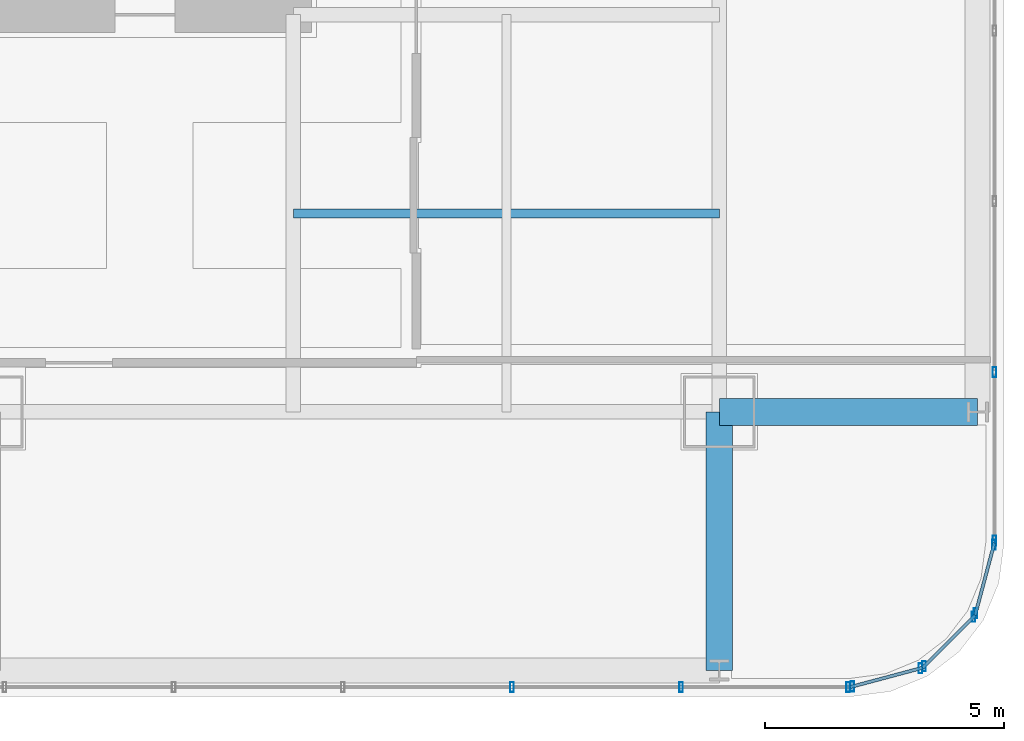
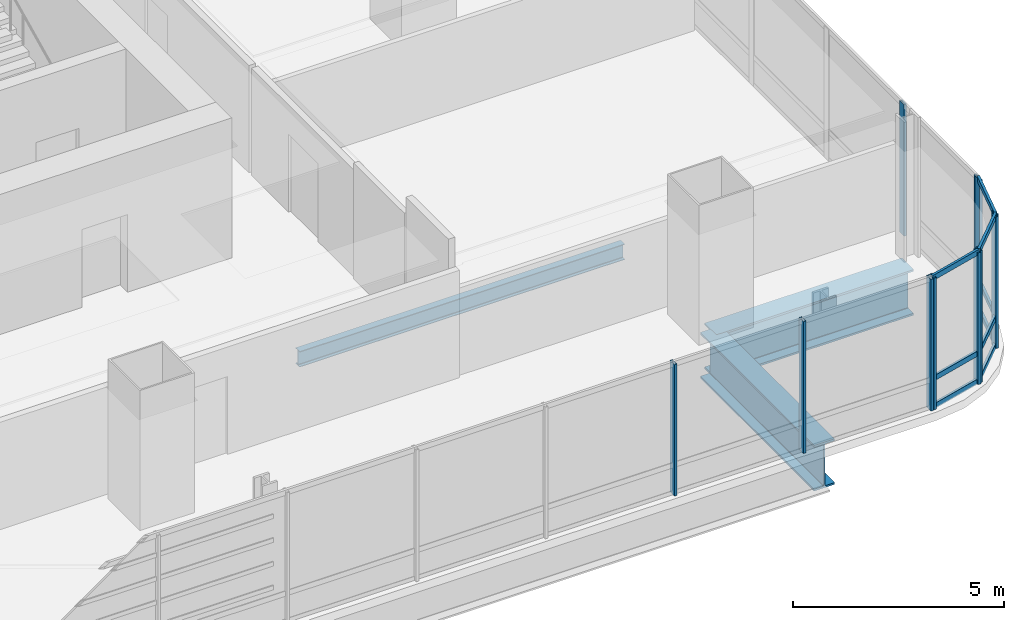
# One storey, part 12 of 35: 20 members, 3 beams, 5 elements without a shape of their own.
"""IFC4 building model written with IfcOpenShell, lengths in metres."""

import ifcopenshell
import ifcopenshell.guid

model = None  # the IFC model being written
_history = None  # IfcOwnerHistory: only IFC2X3 demands one
_inside = {}  # id of a spatial element -> (the spatial element, [elements in it])
_under = {}  # id of a project, library or spatial element -> (it, [spatial elements below it])
_declared = {}  # id of a project -> (the project, [libraries it declares])
_typed = {}  # id of a type object -> (the type object, [elements of that type])
_made_of = {}  # id of a material, layer set ... -> (it, [elements and type objects made of it])


def new_model(schema):
    """Start an empty IFC model of exactly this schema.

    Asked for "IFC4X3", IfcOpenShell would pick the latest addendum, in which some entities
    have other attributes; the version numbers below select the first issue.
    IFC2X3 requires an IfcOwnerHistory on every rooted entity: one is made here for all.
    """
    global model, _history
    if schema == "IFC4X3":
        model = ifcopenshell.file(schema_version=(4, 3, 0, 0))
    else:
        model = ifcopenshell.file(schema=schema)
    _inside.clear()
    _under.clear()
    _declared.clear()
    _typed.clear()
    _made_of.clear()
    _history = None
    if model.schema == "IFC2X3":
        org = make("IfcOrganization", Name="unknown")
        user = make(
            "IfcPersonAndOrganization",
            ThePerson=make("IfcPerson", FamilyName="unknown"),
            TheOrganization=org,
        )
        app = make(
            "IfcApplication",
            ApplicationDeveloper=org,
            Version="unknown",
            ApplicationFullName="unknown",
            ApplicationIdentifier="unknown",
        )
        _history = make(
            "IfcOwnerHistory",
            OwningUser=user,
            OwningApplication=app,
            ChangeAction="ADDED",
            CreationDate=0,
        )
    return model


def make(cls, **values):
    """One entity of the class cls with the attributes given. An attribute that is None is left unset."""
    return model.create_entity(
        cls, **{name: value for name, value in values.items() if value is not None}
    )


def rooted(cls, **values):
    """An entity with a GlobalId (a new one), such as an element, a storey or a relation."""
    return make(cls, GlobalId=ifcopenshell.guid.new(), OwnerHistory=_history, **values)


def si_unit(unit_type, name, prefix=None):
    """IfcSIUnit, for example si_unit("LENGTHUNIT", "METRE", prefix="MILLI")."""
    return make("IfcSIUnit", UnitType=unit_type, Prefix=prefix, Name=name)


def assignment(units):
    """IfcUnitAssignment: the units of a project."""
    return None if units is None else make("IfcUnitAssignment", Units=units)


def point(xyz):
    """IfcCartesianPoint."""
    return None if xyz is None else make("IfcCartesianPoint", Coordinates=xyz)


def direction(xyz):
    """IfcDirection."""
    return None if xyz is None else make("IfcDirection", DirectionRatios=xyz)


def frame(location, z_axis=None, x_axis=None):
    """IfcAxis2Placement3D, a coordinate frame: its origin and axes. An axis left out is left unset."""
    return make(
        "IfcAxis2Placement3D",
        Location=point(location),
        Axis=direction(z_axis),
        RefDirection=direction(x_axis),
    )


def frame_2d(location, x_axis=None):
    """IfcAxis2Placement2D, a coordinate frame in the plane: its origin and x axis."""
    return make(
        "IfcAxis2Placement2D", Location=point(location), RefDirection=direction(x_axis)
    )


def origin():
    """The frame at (0, 0, 0) with its axes left unset."""
    return frame((0.0, 0.0, 0.0))


def origin_2d():
    """The frame at (0, 0) in the plane with its x axis left unset."""
    return frame_2d((0.0, 0.0))


def place(relative_to, where):
    """IfcLocalPlacement: puts the frame where relative to a parent placement (None: the world)."""
    return make(
        "IfcLocalPlacement", PlacementRelTo=relative_to, RelativePlacement=where
    )


def context(
    kind, dimensions, precision=None, world=None, true_north=None, identifier=None
):
    """IfcGeometricRepresentationContext, for example the 3D "Model" context."""
    return make(
        "IfcGeometricRepresentationContext",
        ContextIdentifier=identifier,
        ContextType=kind,
        CoordinateSpaceDimension=dimensions,
        Precision=precision,
        WorldCoordinateSystem=world,
        TrueNorth=true_north,
    )


def subcontext(parent, identifier, kind, view, scale=None):
    """IfcGeometricRepresentationSubContext, for example "Body" below "Model"."""
    return make(
        "IfcGeometricRepresentationSubContext",
        ContextIdentifier=identifier,
        ContextType=kind,
        ParentContext=parent,
        TargetScale=scale,
        TargetView=view,
    )


def project(units=None, contexts=None):
    """IfcProject with its units and contexts."""
    return rooted(
        "IfcProject",
        Name="project",
        RepresentationContexts=contexts,
        UnitsInContext=assignment(units),
    )


def spatial(cls, under=None, at=None, **own):
    """A site, building, storey or space (cls), placed at a placement, below another one or the project."""
    s = rooted(cls, ObjectPlacement=at, **own)
    if under is not None:
        _under.setdefault(under.id(), (under, []))[1].append(s)
    return s


def profile(cls, at=None, kind="AREA", **sizes):
    """A parametric profile (cls). Its sizes go by their IFC names, for example OverallWidth=200.0."""
    return make(cls, ProfileType=kind, Position=at, **sizes)


def hollow_rectangle(**sizes):
    """IfcRectangleHollowProfileDef."""
    return profile("IfcRectangleHollowProfileDef", **sizes)


def i_section(**sizes):
    """IfcIShapeProfileDef."""
    return profile("IfcIShapeProfileDef", **sizes)


def extrude(swept, where, along, depth):
    """IfcExtrudedAreaSolid: the profile swept, set in the frame where, extruded along a direction by depth."""
    return make(
        "IfcExtrudedAreaSolid",
        SweptArea=swept,
        Position=where,
        ExtrudedDirection=direction(along),
        Depth=depth,
    )


def shape(context_of_items, identifier, shape_type, items):
    """IfcShapeRepresentation: the items that make up one representation, for example the "Body"."""
    return make(
        "IfcShapeRepresentation",
        ContextOfItems=context_of_items,
        RepresentationIdentifier=identifier,
        RepresentationType=shape_type,
        Items=items,
    )


def material(Name=None, Category=None):
    """IfcMaterial."""
    return make("IfcMaterial", Name=Name, Category=Category)


def material_profile(
    of_material, cross_section, Name=None, Category=None, Priority=None
):
    """IfcMaterialProfile: a cross section and its material."""
    return make(
        "IfcMaterialProfile",
        Name=Name,
        Material=of_material,
        Profile=cross_section,
        Priority=Priority,
        Category=Category,
    )


def profile_set(profiles, Name=None, composite=None):
    """IfcMaterialProfileSet."""
    return make(
        "IfcMaterialProfileSet",
        Name=Name,
        MaterialProfiles=profiles,
        CompositeProfile=composite,
    )


def made_of(thing, what):
    """Note that an element or type object is made of a material, layer set ...; save() writes the relation."""
    if what is not None:
        _made_of.setdefault(what.id(), (what, []))[1].append(thing)
    return thing


def type_object(cls, material=None, **own):
    """A type object (cls), such as IfcWallType, which elements share."""
    return made_of(rooted(cls, **own), material)


def element(
    cls,
    number,
    at=None,
    inside=None,
    cuts=None,
    type_object=None,
    material=None,
    context=None,
    identifier="Body",
    shape_type=None,
    held_by="IfcProductDefinitionShape",
    body=None,
    shapes=None,
    **own,
):
    """One element of the class cls, such as IfcWall. Its Tag is "e" and its number.

    at: its placement. inside: the storey or other place that contains it. cuts: it is an
    opening in that element (IfcRelVoidsElement). A single representation is given by context,
    identifier, shape_type and body (its items); several are given by shapes. held_by: the class
    of the entity that holds the representations. save() writes the other relations.
    """
    e = rooted(cls, Tag="e%d" % number, ObjectPlacement=at, **own)
    if body is not None:
        shapes = [shape(context, identifier, shape_type, body)]
    if shapes is not None:
        e.Representation = make(held_by, Representations=shapes)
    if inside is not None:
        _inside.setdefault(inside.id(), (inside, []))[1].append(e)
    if cuts is not None:
        rooted(
            "IfcRelVoidsElement", RelatingBuildingElement=cuts, RelatedOpeningElement=e
        )
    if type_object is not None:
        _typed.setdefault(type_object.id(), (type_object, []))[1].append(e)
    return made_of(e, material)


def aggregate(whole, parts):
    """IfcRelAggregates: a whole, such as a stair, and the parts it consists of."""
    return rooted("IfcRelAggregates", RelatingObject=whole, RelatedObjects=parts)


def save(model, path):
    """Write the relations noted so far, then the file.

    IfcRelAggregates (storeys below a building ...), IfcRelContainedInSpatialStructure (elements
    in a storey), IfcRelDefinesByType, IfcRelAssociatesMaterial and IfcRelDeclares: one each for
    every whole, place, type object, material and project.
    """
    for whole, parts in _under.values():
        aggregate(whole, parts)
    for where, things in _inside.values():
        rooted(
            "IfcRelContainedInSpatialStructure",
            RelatedElements=things,
            RelatingStructure=where,
        )
    for kind, things in _typed.values():
        rooted("IfcRelDefinesByType", RelatedObjects=things, RelatingType=kind)
    for what, things in _made_of.values():
        rooted("IfcRelAssociatesMaterial", RelatedObjects=things, RelatingMaterial=what)
    for by, libraries in _declared.values():
        rooted("IfcRelDeclares", RelatingContext=by, RelatedDefinitions=libraries)
    model.write(path)


model = new_model("IFC4")

# Units and contexts
model_context = context("Model", 3, precision=1e-05, world=origin(), true_north=direction((0.0, 1.0)))
body_context = subcontext(model_context, "Body", "Model", "MODEL_VIEW")
ifc_project = project(units=[si_unit("LENGTHUNIT", "METRE"), si_unit("AREAUNIT", "SQUARE_METRE"), si_unit("VOLUMEUNIT", "CUBIC_METRE"), si_unit("PLANEANGLEUNIT", "RADIAN"), si_unit("MASSUNIT", "GRAM", prefix="KILO")], contexts=[model_context])

# Site, building, storey
site_placement = place(None, origin())
site = spatial("IfcSite", under=ifc_project, at=site_placement, CompositionType="ELEMENT")
building_placement = place(site_placement, origin())
building = spatial("IfcBuilding", under=site, at=building_placement, Name="Punatoya Terracotta Tower", CompositionType="ELEMENT")
storey_placement = place(building_placement, frame((0.0, 0.0, 64.64990234375)))
storey = spatial("IfcBuildingStorey", under=building, at=storey_placement, Name="L14", CompositionType="ELEMENT", Elevation=64.64990234375)

# Beams
ifc_material_1 = material(Name="Steel S355", Category="steel")
ifc_material_profile_1 = material_profile(ifc_material_1, i_section(OverallWidth=0.18994140625, OverallDepth=0.449951171875, WebThickness=0.009521484375, FlangeThickness=0.0146484375, FilletRadius=0.01806640625, at=origin_2d()))
ifc_profile_set_1 = profile_set([ifc_material_profile_1], Name="Steel S355")
beam_type_1 = type_object("IfcBeamType", Name="BM-SEC-450", PredefinedType="JOIST", material=ifc_profile_set_1)
beam_placement = place(storey_placement, frame((10.199951171875, -13.35009765625, -0.46484375), z_axis=(1.0, 0.0, 0.0), x_axis=(0.0, 1.0, 0.0)))
element("IfcBeam", 1, at=beam_placement, inside=storey, type_object=beam_type_1, Name="BM-L14-SJS-2", PredefinedType="JOIST", context=body_context, shape_type="SweptSolid", body=[
    extrude(i_section(OverallWidth=0.18994140625, OverallDepth=0.449951171875, WebThickness=0.009521484375, FlangeThickness=0.0146484375, FilletRadius=0.01806640625, at=origin_2d()), origin(), (0.0, 0.0, 1.0), 8.900146484375),
])
ifc_material_2 = material(Name="Steel S460", Category="steel")
ifc_material_profile_2 = material_profile(ifc_material_2, i_section(OverallWidth=0.56005859375, OverallDepth=1.320068359375, WebThickness=0.035888671875, FlangeThickness=0.054931640625, FilletRadius=0.01806640625, at=origin_2d()))
ifc_profile_set_2 = profile_set([ifc_material_profile_2], Name="Steel S460")
beam_type_2 = type_object("IfcBeamType", Name="BM-TG-BLK", PredefinedType="BEAM", material=ifc_profile_set_2)
for number, where, z_axis, x_axis, name in (
    (2, (19.10009765625, -17.5, -0.89990234375), (1.0, 0.0, 0.0), (0.0, 1.0, 0.0), "BM-L14-CANT-E1"),
    (3, (19.10009765625, -22.89990234375, -0.89990234375), (0.0, 1.0, 0.0), (-1.0, 0.0, 0.0), "BM-L14-CANT-S4"),
):
    element("IfcBeam", number, at=place(storey_placement, frame(where, z_axis=z_axis, x_axis=x_axis)), inside=storey, type_object=beam_type_2, Name=name, PredefinedType="BEAM", context=body_context, shape_type="SweptSolid", body=[
        extrude(i_section(OverallWidth=0.56005859375, OverallDepth=1.320068359375, WebThickness=0.035888671875, FlangeThickness=0.054931640625, FilletRadius=0.01806640625, at=origin_2d()), origin(), (0.0, 0.0, 1.0), 5.39990234375),
    ])

# Curtain wall, members
ifc_material_3 = material(Name="Aluminium 6063-T6 + Double Low-E Glass", Category="aluminium")
curtain_wall_type = type_object("IfcCurtainWallType", Name="CW-M1", PredefinedType="NOTDEFINED", material=ifc_material_3)
curtain_wall_1_placement = place(storey_placement, origin())
curtain_wall_1 = element("IfcCurtainWall", 4, at=curtain_wall_1_placement, inside=storey, type_object=curtain_wall_type, Name="L14 Curtain Wall CW-L14-S01-1", PredefinedType="NOTDEFINED")
ifc_material_4 = material(Name="Aluminium 6063-T6", Category="aluminium")
ifc_material_profile_3 = material_profile(ifc_material_4, hollow_rectangle(XDim=0.074951171875, YDim=0.2099609375, WallThickness=0.00439453125, at=origin_2d()))
ifc_profile_set_3 = profile_set([ifc_material_profile_3], Name="Aluminium 6063-T6")
member_type_1 = type_object("IfcMemberType", Name="CW-MUL-M1", PredefinedType="MULLION", material=ifc_profile_set_3)
member_1_placement = place(storey_placement, frame((14.768798828125, -23.25, 0.0), z_axis=(0.0, 0.0, 1.0), x_axis=(1.0, 0.0, 0.0)))
member_1 = element("IfcMember", 5, at=member_1_placement, type_object=member_type_1, Name="CW-L14-S01-1 Mullion 09", PredefinedType="MULLION", context=body_context, shape_type="SweptSolid", body=[
    extrude(hollow_rectangle(XDim=0.074951171875, YDim=0.2099609375, WallThickness=0.00439453125, at=origin_2d()), origin(), (0.0, 0.0, 1.0), 3.81005859375),
])
member_2_placement = place(storey_placement, frame((18.302978515625, -23.25, 0.0), z_axis=(0.0, 0.0, 1.0), x_axis=(1.0, 0.0, 0.0)))
member_2 = element("IfcMember", 6, at=member_2_placement, type_object=member_type_1, Name="CW-L14-S01-1 Mullion 10", PredefinedType="MULLION", context=body_context, shape_type="SweptSolid", body=[
    extrude(hollow_rectangle(XDim=0.074951171875, YDim=0.2099609375, WallThickness=0.00439453125, at=origin_2d()), origin(), (0.0, 0.0, 1.0), 3.81005859375),
])
member_3_placement = place(storey_placement, frame((21.7919921875, -23.25, 0.0), z_axis=(0.0, 0.0, 1.0), x_axis=(1.0, 0.0, 0.0)))
member_3 = element("IfcMember", 7, at=member_3_placement, type_object=member_type_1, Name="CW-L14-S01-1 Mullion 11", PredefinedType="MULLION", context=body_context, shape_type="SweptSolid", body=[
    extrude(hollow_rectangle(XDim=0.074951171875, YDim=0.2099609375, WallThickness=0.00439453125, at=origin_2d()), origin(), (0.0, 0.0, 1.0), 3.81005859375),
])
aggregate(curtain_wall_1, [member_1, member_2, member_3])

curtain_wall_2_placement = place(storey_placement, origin())
curtain_wall_2 = element("IfcCurtainWall", 8, at=curtain_wall_2_placement, inside=storey, type_object=curtain_wall_type, Name="L14 Curtain Wall CW-L14-CRN02", PredefinedType="NOTDEFINED")
member_4_placement = place(storey_placement, frame((21.88037109375, -23.23828125, 0.0), z_axis=(0.0, 0.0, 1.0), x_axis=(1.0, 0.0, 0.0)))
member_4 = element("IfcMember", 9, at=member_4_placement, type_object=member_type_1, Name="CW-L14-CRN02 Mullion 00", PredefinedType="MULLION", context=body_context, shape_type="SweptSolid", body=[
    extrude(hollow_rectangle(XDim=0.074951171875, YDim=0.2099609375, WallThickness=0.00439453125, at=origin_2d()), origin(), (0.0, 0.0, 1.0), 3.81005859375),
])
member_5_placement = place(storey_placement, frame((23.3056640625, -22.858154296875, 0.0), z_axis=(0.0, 0.0, 1.0), x_axis=(1.0, 0.0, 0.0)))
member_5 = element("IfcMember", 10, at=member_5_placement, type_object=member_type_1, Name="CW-L14-CRN02 Mullion 01", PredefinedType="MULLION", context=body_context, shape_type="SweptSolid", body=[
    extrude(hollow_rectangle(XDim=0.074951171875, YDim=0.2099609375, WallThickness=0.00439453125, at=origin_2d()), origin(), (0.0, 0.0, 1.0), 3.81005859375),
])

curtain_wall_3_placement = place(storey_placement, origin())
curtain_wall_3 = element("IfcCurtainWall", 11, at=curtain_wall_3_placement, inside=storey, type_object=curtain_wall_type, Name="L14 Curtain Wall CW-L14-CRN03", PredefinedType="NOTDEFINED")
member_6_placement = place(storey_placement, frame((23.380859375, -22.814697265625, 0.0), z_axis=(0.0, 0.0, 1.0), x_axis=(1.0, 0.0, 0.0)))
member_6 = element("IfcMember", 12, at=member_6_placement, type_object=member_type_1, Name="CW-L14-CRN03 Mullion 00", PredefinedType="MULLION", context=body_context, shape_type="SweptSolid", body=[
    extrude(hollow_rectangle(XDim=0.074951171875, YDim=0.2099609375, WallThickness=0.00439453125, at=origin_2d()), origin(), (0.0, 0.0, 1.0), 3.81005859375),
])
member_7_placement = place(storey_placement, frame((24.414794921875, -21.781005859375, 0.0), z_axis=(0.0, 0.0, 1.0), x_axis=(1.0, 0.0, 0.0)))
member_7 = element("IfcMember", 13, at=member_7_placement, type_object=member_type_1, Name="CW-L14-CRN03 Mullion 01", PredefinedType="MULLION", context=body_context, shape_type="SweptSolid", body=[
    extrude(hollow_rectangle(XDim=0.074951171875, YDim=0.2099609375, WallThickness=0.00439453125, at=origin_2d()), origin(), (0.0, 0.0, 1.0), 3.81005859375),
])

curtain_wall_4_placement = place(storey_placement, origin())
curtain_wall_4 = element("IfcCurtainWall", 14, at=curtain_wall_4_placement, inside=storey, type_object=curtain_wall_type, Name="L14 Curtain Wall CW-L14-CRN04", PredefinedType="NOTDEFINED")
member_8_placement = place(storey_placement, frame((24.458251953125, -21.70556640625, 0.0), z_axis=(0.0, 0.0, 1.0), x_axis=(1.0, 0.0, 0.0)))
member_8 = element("IfcMember", 15, at=member_8_placement, type_object=member_type_1, Name="CW-L14-CRN04 Mullion 00", PredefinedType="MULLION", context=body_context, shape_type="SweptSolid", body=[
    extrude(hollow_rectangle(XDim=0.074951171875, YDim=0.2099609375, WallThickness=0.00439453125, at=origin_2d()), origin(), (0.0, 0.0, 1.0), 3.81005859375),
])
member_9_placement = place(storey_placement, frame((24.83837890625, -20.280517578125, 0.0), z_axis=(0.0, 0.0, 1.0), x_axis=(1.0, 0.0, 0.0)))
member_9 = element("IfcMember", 16, at=member_9_placement, type_object=member_type_1, Name="CW-L14-CRN04 Mullion 01", PredefinedType="MULLION", context=body_context, shape_type="SweptSolid", body=[
    extrude(hollow_rectangle(XDim=0.074951171875, YDim=0.2099609375, WallThickness=0.00439453125, at=origin_2d()), origin(), (0.0, 0.0, 1.0), 3.81005859375),
])

curtain_wall_5_placement = place(storey_placement, origin())
curtain_wall_5 = element("IfcCurtainWall", 17, at=curtain_wall_5_placement, inside=storey, type_object=curtain_wall_type, Name="L14 Curtain Wall CW-L14-E05-1", PredefinedType="NOTDEFINED")
member_10_placement = place(storey_placement, frame((24.85009765625, -20.19189453125, 0.0), z_axis=(0.0, 0.0, 1.0), x_axis=(1.0, 0.0, 0.0)))
member_10 = element("IfcMember", 18, at=member_10_placement, type_object=member_type_1, Name="CW-L14-E05-1 Mullion 00", PredefinedType="MULLION", context=body_context, shape_type="SweptSolid", body=[
    extrude(hollow_rectangle(XDim=0.074951171875, YDim=0.2099609375, WallThickness=0.00439453125, at=origin_2d()), origin(), (0.0, 0.0, 1.0), 3.81005859375),
])
member_11_placement = place(storey_placement, frame((24.85009765625, -16.66943359375, 0.0), z_axis=(0.0, 0.0, 1.0), x_axis=(1.0, 0.0, 0.0)))
member_11 = element("IfcMember", 19, at=member_11_placement, type_object=member_type_1, Name="CW-L14-E05-1 Mullion 01", PredefinedType="MULLION", context=body_context, shape_type="SweptSolid", body=[
    extrude(hollow_rectangle(XDim=0.074951171875, YDim=0.2099609375, WallThickness=0.00439453125, at=origin_2d()), origin(), (0.0, 0.0, 1.0), 3.81005859375),
])
aggregate(curtain_wall_5, [member_10, member_11])

# Member
ifc_material_profile_4 = material_profile(ifc_material_4, hollow_rectangle(XDim=0.068115234375, YDim=0.14990234375, WallThickness=0.00390625, at=origin_2d()))
ifc_profile_set_4 = profile_set([ifc_material_profile_4], Name="Aluminium 6063-T6")
member_type_2 = type_object("IfcMemberType", Name="CW-TRN-TYP", PredefinedType="USERDEFINED", material=ifc_profile_set_4)
member_12_placement = place(storey_placement, frame((21.8369140625, -23.25, 0.0400390625), z_axis=(0.966224582397, 0.257701486942, 0.0), x_axis=(-0.257701486942, 0.966224582397, 0.0)))
member_12 = element("IfcMember", 20, at=member_12_placement, type_object=member_type_2, Name="CW-L14-CRN02 Transom 1", ObjectType="TRANSOM", PredefinedType="USERDEFINED", context=body_context, shape_type="SweptSolid", body=[
    extrude(hollow_rectangle(XDim=0.068115234375, YDim=0.14990234375, WallThickness=0.00390625, at=origin_2d()), origin(), (0.0, 0.0, 1.0), 1.565185546875),
])

member_13_placement = place(storey_placement, frame((21.8369140625, -23.25, 0.85009765625), z_axis=(0.966224582397, 0.257701486942, 0.0), x_axis=(-0.257701486942, 0.966224582397, 0.0)))
member_13 = element("IfcMember", 21, at=member_13_placement, type_object=member_type_2, Name="CW-L14-CRN02 Transom 2", ObjectType="TRANSOM", PredefinedType="USERDEFINED", context=body_context, shape_type="SweptSolid", body=[
    extrude(hollow_rectangle(XDim=0.068115234375, YDim=0.14990234375, WallThickness=0.00390625, at=origin_2d()), origin(), (0.0, 0.0, 1.0), 1.565185546875),
])

member_14_placement = place(storey_placement, frame((21.8369140625, -23.25, 3.77001953125), z_axis=(0.966224582397, 0.257701486942, 0.0), x_axis=(-0.257701486942, 0.966224582397, 0.0)))
member_14 = element("IfcMember", 22, at=member_14_placement, type_object=member_type_2, Name="CW-L14-CRN02 Transom 3", ObjectType="TRANSOM", PredefinedType="USERDEFINED", context=body_context, shape_type="SweptSolid", body=[
    extrude(hollow_rectangle(XDim=0.068115234375, YDim=0.14990234375, WallThickness=0.00390625, at=origin_2d()), origin(), (0.0, 0.0, 1.0), 1.565185546875),
])

aggregate(curtain_wall_2, [member_4, member_5, member_12, member_13, member_14])

member_15_placement = place(storey_placement, frame((23.34912109375, -22.8466796875, 0.0400390625), z_axis=(0.707028130747, 0.707185422879, 0.0), x_axis=(-0.707185422879, 0.707028130747, 0.0)))
member_15 = element("IfcMember", 23, at=member_15_placement, type_object=member_type_2, Name="CW-L14-CRN03 Transom 1", ObjectType="TRANSOM", PredefinedType="USERDEFINED", context=body_context, shape_type="SweptSolid", body=[
    extrude(hollow_rectangle(XDim=0.068115234375, YDim=0.14990234375, WallThickness=0.00390625, at=origin_2d()), origin(), (0.0, 0.0, 1.0), 1.55224609375),
])

member_16_placement = place(storey_placement, frame((23.34912109375, -22.8466796875, 0.85009765625), z_axis=(0.707028130747, 0.707185422879, 0.0), x_axis=(-0.707185422879, 0.707028130747, 0.0)))
member_16 = element("IfcMember", 24, at=member_16_placement, type_object=member_type_2, Name="CW-L14-CRN03 Transom 2", ObjectType="TRANSOM", PredefinedType="USERDEFINED", context=body_context, shape_type="SweptSolid", body=[
    extrude(hollow_rectangle(XDim=0.068115234375, YDim=0.14990234375, WallThickness=0.00390625, at=origin_2d()), origin(), (0.0, 0.0, 1.0), 1.55224609375),
])

member_17_placement = place(storey_placement, frame((23.34912109375, -22.8466796875, 3.77001953125), z_axis=(0.707028130747, 0.707185422879, 0.0), x_axis=(-0.707185422879, 0.707028130747, 0.0)))
member_17 = element("IfcMember", 25, at=member_17_placement, type_object=member_type_2, Name="CW-L14-CRN03 Transom 3", ObjectType="TRANSOM", PredefinedType="USERDEFINED", context=body_context, shape_type="SweptSolid", body=[
    extrude(hollow_rectangle(XDim=0.068115234375, YDim=0.14990234375, WallThickness=0.00390625, at=origin_2d()), origin(), (0.0, 0.0, 1.0), 1.55224609375),
])

aggregate(curtain_wall_3, [member_6, member_7, member_15, member_16, member_17])

member_18_placement = place(storey_placement, frame((24.446533203125, -21.7490234375, 0.0400390625), z_axis=(0.257847112249, 0.966185730957, 0.0), x_axis=(-0.966185730957, 0.257847112249, 0.0)))
member_18 = element("IfcMember", 26, at=member_18_placement, type_object=member_type_2, Name="CW-L14-CRN04 Transom 1", ObjectType="TRANSOM", PredefinedType="USERDEFINED", context=body_context, shape_type="SweptSolid", body=[
    extrude(hollow_rectangle(XDim=0.068115234375, YDim=0.14990234375, WallThickness=0.00390625, at=origin_2d()), origin(), (0.0, 0.0, 1.0), 1.565185546875),
])

member_19_placement = place(storey_placement, frame((24.446533203125, -21.7490234375, 0.85009765625), z_axis=(0.257847112249, 0.966185730957, 0.0), x_axis=(-0.966185730957, 0.257847112249, 0.0)))
member_19 = element("IfcMember", 27, at=member_19_placement, type_object=member_type_2, Name="CW-L14-CRN04 Transom 2", ObjectType="TRANSOM", PredefinedType="USERDEFINED", context=body_context, shape_type="SweptSolid", body=[
    extrude(hollow_rectangle(XDim=0.068115234375, YDim=0.14990234375, WallThickness=0.00390625, at=origin_2d()), origin(), (0.0, 0.0, 1.0), 1.565185546875),
])

member_20_placement = place(storey_placement, frame((24.446533203125, -21.7490234375, 3.77001953125), z_axis=(0.257847112249, 0.966185730957, 0.0), x_axis=(-0.966185730957, 0.257847112249, 0.0)))
member_20 = element("IfcMember", 28, at=member_20_placement, type_object=member_type_2, Name="CW-L14-CRN04 Transom 3", ObjectType="TRANSOM", PredefinedType="USERDEFINED", context=body_context, shape_type="SweptSolid", body=[
    extrude(hollow_rectangle(XDim=0.068115234375, YDim=0.14990234375, WallThickness=0.00390625, at=origin_2d()), origin(), (0.0, 0.0, 1.0), 1.565185546875),
])

aggregate(curtain_wall_4, [member_8, member_9, member_18, member_19, member_20])

save(model, "model.ifc")
